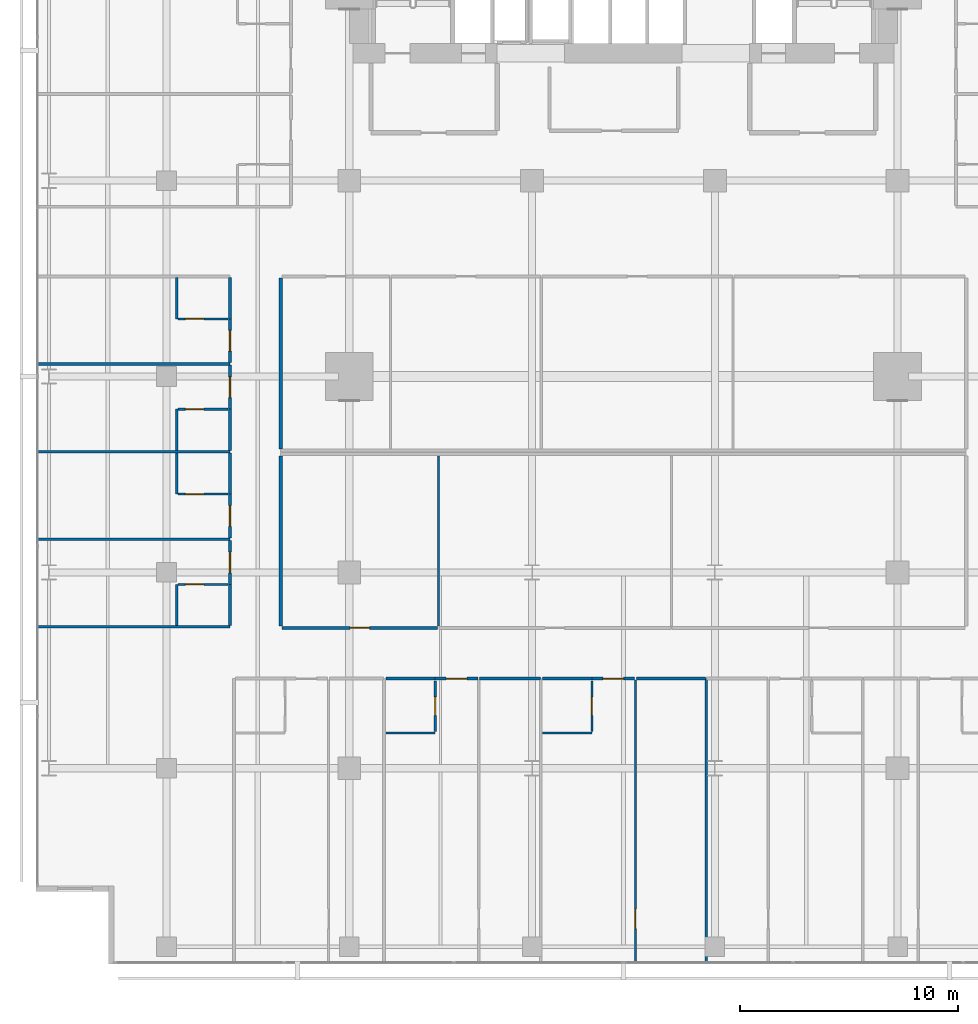
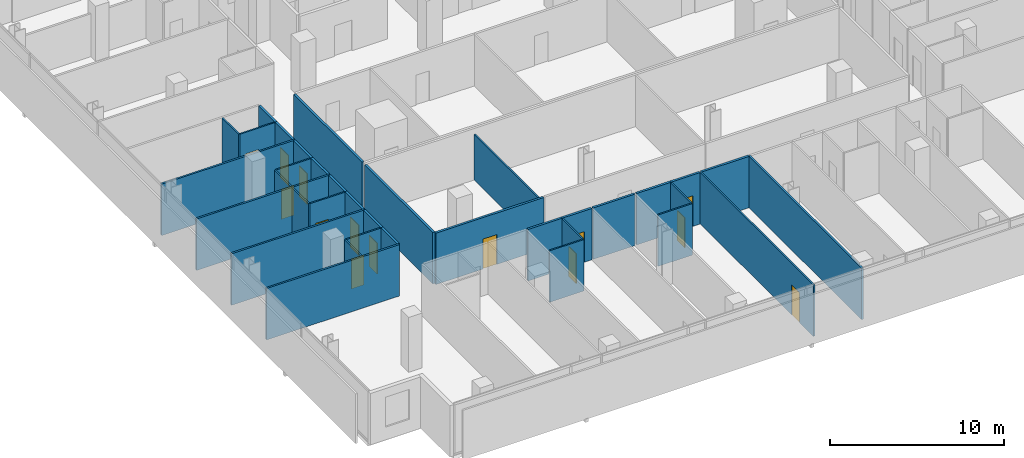
# One storey, part 33 of 40: 36 walls, 14 doors, 14 openings.
"""IFC4 building model written with IfcOpenShell, lengths in metres."""

from ifc_helpers import new_model, si_unit, direction, frame, frame_2d, origin, place, context, subcontext, project, spatial, rectangle, extrude, material, layer, layer_set, type_object, element, fill, save


model = new_model("IFC4")

# Units and contexts
model_context = context("Model", 3, precision=1e-05, world=origin(), true_north=direction((0.0, 1.0)))
body_context = subcontext(model_context, "Body", "Model", "MODEL_VIEW")
ifc_project = project(units=[si_unit("LENGTHUNIT", "METRE"), si_unit("AREAUNIT", "SQUARE_METRE"), si_unit("VOLUMEUNIT", "CUBIC_METRE"), si_unit("PLANEANGLEUNIT", "RADIAN"), si_unit("MASSUNIT", "GRAM", prefix="KILO")], contexts=[model_context])

# Site, building, storey
site_placement = place(None, origin())
site = spatial("IfcSite", under=ifc_project, at=site_placement, CompositionType="ELEMENT")
building_placement = place(site_placement, origin())
building = spatial("IfcBuilding", under=site, at=building_placement, Name="Maruvema Waterfront Hotel and Observation Tower", CompositionType="ELEMENT")
storey_placement = place(building_placement, frame((0.0, 0.0, 77.0)))
storey = spatial("IfcBuildingStorey", under=building, at=storey_placement, Name="L18", CompositionType="ELEMENT", Elevation=77.0)

# Walls
ifc_material_1 = material(Name="Twin-stud acoustic gypsum drywall", Category="gypsum")
ifc_layer_1 = layer(ifc_material_1, 0.14990234375, Name="Acoustic Corridor and Suite Demising Wall 150 mm")
ifc_layer_set_1 = layer_set([ifc_layer_1], Name="Twin-stud acoustic gypsum drywall")
wall_type_1 = type_object("IfcWallType", Name="Acoustic Corridor and Suite Demising Wall 150 mm", PredefinedType="PARTITIONING", material=ifc_layer_set_1)
wall_1_placement = place(storey_placement, frame((22.050048828125, 23.679931640625, 0.0), z_axis=(0.0, 0.0, 1.0), x_axis=(0.0, 1.0, 0.0)))
element("IfcWall", 1, at=wall_1_placement, inside=storey, type_object=wall_type_1, Name="L18 L18-INTN West Wall 017", PredefinedType="PARTITIONING", context=body_context, shape_type="SweptSolid", body=[
    extrude(rectangle(XDim=7.840087890625, YDim=0.14990234375, at=frame_2d((3.919921875, 0.0))), origin(), (0.0, 0.0, 1.0), 3.610107421875),
])
wall_2_placement = place(storey_placement, frame((22.050048828125, 15.530029296875, 0.0), z_axis=(0.0, 0.0, 1.0), x_axis=(0.0, 1.0, 0.0)))
element("IfcWall", 2, at=wall_2_placement, inside=storey, type_object=wall_type_1, Name="L18 L18-INTS West Wall 027", PredefinedType="PARTITIONING", context=body_context, shape_type="SweptSolid", body=[
    extrude(rectangle(XDim=7.830078125, YDim=0.14990234375, at=frame_2d((3.9150390625, 0.0))), origin(), (0.0, 0.0, 1.0), 3.610107421875),
])

# Wall, opening, door
wall_3_placement = place(storey_placement, frame((22.110107421875, 15.449951171875, 0.0), z_axis=(0.0, 0.0, 1.0), x_axis=(1.0, 0.0, 0.0)))
wall_3 = element("IfcWall", 3, at=wall_3_placement, inside=storey, type_object=wall_type_1, Name="L18 L18-INTS Front 1 029", PredefinedType="PARTITIONING", context=body_context, shape_type="SweptSolid", body=[
    extrude(rectangle(XDim=7.15478515625, YDim=0.14990234375, at=frame_2d((3.577392578125, 0.0))), origin(), (0.0, 0.0, 1.0), 3.610107421875),
])
opening_1_placement = place(wall_3_placement, frame((3.12744140625, 0.0, 0.0)))
opening_1 = element("IfcOpeningElement", 4, at=opening_1_placement, cuts=wall_3, Name="Opening DR-090", PredefinedType="OPENING", context=body_context, shape_type="SweptSolid", body=[
    extrude(rectangle(XDim=0.89990234375, YDim=2.10009765625, at=frame_2d((0.449951171875, 1.050048828125))), frame((0.0, 0.0849609375, 0.0), z_axis=(0.0, -1.0, 0.0), x_axis=(1.0, 0.0, 0.0)), (0.0, 0.0, 1.0), 0.169921875),
])
ifc_material_2 = material(Name="Solid-core lacquered timber leaf", Category="wood")
door_type_1 = type_object("IfcDoorType", Name="Accessible Toilet and Room Door 900x2100 mm", OperationType="NOTDEFINED", PredefinedType="DOOR", material=ifc_material_2)
door_1_placement = place(opening_1_placement, frame((0.89990234375, 0.0, 0.0), z_axis=(0.0, 0.0, 1.0), x_axis=(-1.0, 0.0, 0.0)))
door_1 = element("IfcDoor", 5, at=door_1_placement, inside=storey, type_object=door_type_1, Name="L18 Media Lounge Door", OperationType="SINGLE_SWING_RIGHT", OverallHeight=2.10009765625, OverallWidth=0.89990234375, PredefinedType="DOOR", context=body_context, shape_type="SweptSolid", body=[
    extrude(rectangle(XDim=0.89990234375, YDim=2.10009765625, at=frame_2d((0.449951171875, 1.050048828125))), frame((0.0, 0.02490234375, 0.0), z_axis=(0.0, -1.0, 0.0), x_axis=(1.0, 0.0, 0.0)), (0.0, 0.0, 1.0), 0.050048828125),
])
fill(opening_1, door_1)

# Wall
wall_4_placement = place(storey_placement, frame((26.8798828125, 13.1201171875, 0.0), z_axis=(0.0, 0.0, 1.0), x_axis=(1.0, 0.0, 0.0)))
element("IfcWall", 6, at=wall_4_placement, inside=storey, type_object=wall_type_1, Name="L18 Bath L18-S2 Back Wall 043", PredefinedType="PARTITIONING", context=body_context, shape_type="SweptSolid", body=[
    extrude(rectangle(XDim=2.27001953125, YDim=0.14990234375, at=frame_2d((1.135009765625, 0.0))), origin(), (0.0, 0.0, 1.0), 3.610107421875),
])

# Wall, opening, door
wall_5_placement = place(storey_placement, frame((29.14990234375, 13.1201171875, 0.0), z_axis=(0.0, 0.0, 1.0), x_axis=(1.0, 0.0, 0.0)))
wall_5 = element("IfcWall", 7, at=wall_5_placement, inside=storey, type_object=wall_type_1, Name="L18 Unit L18-S2 Corridor Wall 046", PredefinedType="PARTITIONING", context=body_context, shape_type="SweptSolid", body=[
    extrude(rectangle(XDim=1.960205078125, YDim=0.14990234375, at=frame_2d((0.97998046875, 0.0))), origin(), (0.0, 0.0, 1.0), 3.610107421875),
])
opening_2_placement = place(wall_5_placement, frame((0.5048828125, 0.0, 0.0)))
opening_2 = element("IfcOpeningElement", 8, at=opening_2_placement, cuts=wall_5, Name="Opening DR-095", PredefinedType="OPENING", context=body_context, shape_type="SweptSolid", body=[
    extrude(rectangle(XDim=0.949951171875, YDim=2.14990234375, at=frame_2d((0.47509765625, 1.074951171875))), frame((0.0, 0.0849609375, 0.0), z_axis=(0.0, -1.0, 0.0), x_axis=(1.0, 0.0, 0.0)), (0.0, 0.0, 1.0), 0.169921875),
])
ifc_material_3 = material(Name="Acoustic solid-core hardwood timber leaf", Category="wood")
door_type_2 = type_object("IfcDoorType", Name="Guestroom Entrance Fire Door 950x2150 mm", OperationType="NOTDEFINED", PredefinedType="DOOR", material=ifc_material_3)
door_2_placement = place(opening_2_placement, frame((0.949951171875, 0.0, 0.0), z_axis=(0.0, 0.0, 1.0), x_axis=(-1.0, 0.0, 0.0)))
door_2 = element("IfcDoor", 9, at=door_2_placement, inside=storey, type_object=door_type_2, Name="L18 Unit L18-S2 Entrance Door", OperationType="SINGLE_SWING_LEFT", OverallHeight=2.14990234375, OverallWidth=0.949951171875, PredefinedType="DOOR", context=body_context, shape_type="SweptSolid", body=[
    extrude(rectangle(XDim=0.949951171875, YDim=2.14990234375, at=frame_2d((0.47509765625, 1.074951171875))), frame((0.0, 0.02490234375, 0.0), z_axis=(0.0, -1.0, 0.0), x_axis=(1.0, 0.0, 0.0)), (0.0, 0.0, 1.0), 0.050048828125),
])
fill(opening_2, door_2)

# Walls
wall_6_placement = place(storey_placement, frame((31.18994140625, 13.1201171875, 0.0), z_axis=(0.0, 0.0, 1.0), x_axis=(1.0, 0.0, 0.0)))
element("IfcWall", 10, at=wall_6_placement, inside=storey, type_object=wall_type_1, Name="L18 Bedroom L18-S2 Back Wall 047", PredefinedType="PARTITIONING", context=body_context, shape_type="SweptSolid", body=[
    extrude(rectangle(XDim=2.7900390625, YDim=0.14990234375, at=frame_2d((1.39501953125, 0.0))), origin(), (0.0, 0.0, 1.0), 3.610107421875),
])
wall_7_placement = place(storey_placement, frame((34.080078125, 13.1201171875, 0.0), z_axis=(0.0, 0.0, 1.0), x_axis=(1.0, 0.0, 0.0)))
element("IfcWall", 11, at=wall_7_placement, inside=storey, type_object=wall_type_1, Name="L18 Bath L18-S3 Back Wall 050", PredefinedType="PARTITIONING", context=body_context, shape_type="SweptSolid", body=[
    extrude(rectangle(XDim=2.27001953125, YDim=0.14990234375, at=frame_2d((1.135009765625, 0.0))), origin(), (0.0, 0.0, 1.0), 3.610107421875),
])

# Wall, opening, door
wall_8_placement = place(storey_placement, frame((36.35009765625, 13.1201171875, 0.0), z_axis=(0.0, 0.0, 1.0), x_axis=(1.0, 0.0, 0.0)))
wall_8 = element("IfcWall", 12, at=wall_8_placement, inside=storey, type_object=wall_type_1, Name="L18 Unit L18-S3 Corridor Wall 053", PredefinedType="PARTITIONING", context=body_context, shape_type="SweptSolid", body=[
    extrude(rectangle(XDim=1.9599609375, YDim=0.14990234375, at=frame_2d((0.97998046875, 0.0))), origin(), (0.0, 0.0, 1.0), 3.610107421875),
])
opening_3_placement = place(wall_8_placement, frame((0.5048828125, 0.0, 0.0)))
opening_3 = element("IfcOpeningElement", 13, at=opening_3_placement, cuts=wall_8, Name="Opening DR-095", PredefinedType="OPENING", context=body_context, shape_type="SweptSolid", body=[
    extrude(rectangle(XDim=0.949951171875, YDim=2.14990234375, at=frame_2d((0.47509765625, 1.074951171875))), frame((0.0, 0.0849609375, 0.0), z_axis=(0.0, -1.0, 0.0), x_axis=(1.0, 0.0, 0.0)), (0.0, 0.0, 1.0), 0.169921875),
])
door_3_placement = place(opening_3_placement, frame((0.949951171875, 0.0, 0.0), z_axis=(0.0, 0.0, 1.0), x_axis=(-1.0, 0.0, 0.0)))
door_3 = element("IfcDoor", 14, at=door_3_placement, inside=storey, type_object=door_type_2, Name="L18 Unit L18-S3 Entrance Door", OperationType="SINGLE_SWING_RIGHT", OverallHeight=2.14990234375, OverallWidth=0.949951171875, PredefinedType="DOOR", context=body_context, shape_type="SweptSolid", body=[
    extrude(rectangle(XDim=0.949951171875, YDim=2.14990234375, at=frame_2d((0.47509765625, 1.074951171875))), frame((0.0, 0.02490234375, 0.0), z_axis=(0.0, -1.0, 0.0), x_axis=(1.0, 0.0, 0.0)), (0.0, 0.0, 1.0), 0.050048828125),
])
fill(opening_3, door_3)

# Walls
wall_9_placement = place(storey_placement, frame((38.389892578125, 13.1201171875, 0.0), z_axis=(0.0, 0.0, 1.0), x_axis=(1.0, 0.0, 0.0)))
element("IfcWall", 15, at=wall_9_placement, inside=storey, type_object=wall_type_1, Name="L18 Bedroom L18-S3 Back Wall 054", PredefinedType="PARTITIONING", context=body_context, shape_type="SweptSolid", body=[
    extrude(rectangle(XDim=3.190185546875, YDim=0.14990234375, at=frame_2d((1.59521484375, 0.0))), origin(), (0.0, 0.0, 1.0), 3.610107421875),
])
wall_10_placement = place(storey_placement, frame((19.719970703125, 15.56005859375, 0.0), z_axis=(0.0, 0.0, 1.0), x_axis=(0.0, 1.0, 0.0)))
element("IfcWall", 16, at=wall_10_placement, inside=storey, type_object=wall_type_1, Name="L18 Bath L18-W1 Wall 074", PredefinedType="PARTITIONING", context=body_context, shape_type="SweptSolid", body=[
    extrude(rectangle(XDim=1.889892578125, YDim=0.14990234375, at=frame_2d((0.94482421875, 0.0))), origin(), (0.0, 0.0, 1.0), 3.610107421875),
])

# Wall, opening, door
wall_11_placement = place(storey_placement, frame((19.719970703125, 17.449951171875, 0.0), z_axis=(0.0, 0.0, 1.0), x_axis=(0.0, 1.0, 0.0)))
wall_11 = element("IfcWall", 17, at=wall_11_placement, inside=storey, type_object=wall_type_1, Name="L18 Room L18-W1 Corridor Wall 075", PredefinedType="PARTITIONING", context=body_context, shape_type="SweptSolid", body=[
    extrude(rectangle(XDim=2.010009765625, YDim=0.14990234375, at=frame_2d((1.0048828125, 0.0))), origin(), (0.0, 0.0, 1.0), 3.610107421875),
])
opening_4_placement = place(wall_11_placement, frame((0.530029296875, 0.0, 0.0)))
opening_4 = element("IfcOpeningElement", 18, at=opening_4_placement, cuts=wall_11, Name="Opening DR-095", PredefinedType="OPENING", context=body_context, shape_type="SweptSolid", body=[
    extrude(rectangle(XDim=0.949951171875, YDim=2.14990234375, at=frame_2d((0.47509765625, 1.074951171875))), frame((0.0, 0.0849609375, 0.0), z_axis=(0.0, -1.0, 0.0), x_axis=(1.0, 0.0, 0.0)), (0.0, 0.0, 1.0), 0.169921875),
])
door_4_placement = place(opening_4_placement, origin())
door_4 = element("IfcDoor", 19, at=door_4_placement, inside=storey, type_object=door_type_2, Name="L18 Room L18-W1 Entrance Door", OperationType="SINGLE_SWING_LEFT", OverallHeight=2.14990234375, OverallWidth=0.949951171875, PredefinedType="DOOR", context=body_context, shape_type="SweptSolid", body=[
    extrude(rectangle(XDim=0.949951171875, YDim=2.14990234375, at=frame_2d((0.47509765625, 1.074951171875))), frame((0.0, 0.02490234375, 0.0), z_axis=(0.0, -1.0, 0.0), x_axis=(1.0, 0.0, 0.0)), (0.0, 0.0, 1.0), 0.050048828125),
])
fill(opening_4, door_4)

wall_12_placement = place(storey_placement, frame((19.719970703125, 19.580078125, 0.0), z_axis=(0.0, 0.0, 1.0), x_axis=(0.0, 1.0, 0.0)))
wall_12 = element("IfcWall", 20, at=wall_12_placement, inside=storey, type_object=wall_type_1, Name="L18 Room L18-W2 Corridor Wall 084", PredefinedType="PARTITIONING", context=body_context, shape_type="SweptSolid", body=[
    extrude(rectangle(XDim=2.02001953125, YDim=0.14990234375, at=frame_2d((1.010009765625, 0.0))), origin(), (0.0, 0.0, 1.0), 3.610107421875),
])
opening_5_placement = place(wall_12_placement, frame((0.534912109375, 0.0, 0.0)))
opening_5 = element("IfcOpeningElement", 21, at=opening_5_placement, cuts=wall_12, Name="Opening DR-095", PredefinedType="OPENING", context=body_context, shape_type="SweptSolid", body=[
    extrude(rectangle(XDim=0.949951171875, YDim=2.14990234375, at=frame_2d((0.47509765625, 1.074951171875))), frame((0.0, 0.0849609375, 0.0), z_axis=(0.0, -1.0, 0.0), x_axis=(1.0, 0.0, 0.0)), (0.0, 0.0, 1.0), 0.169921875),
])
door_5_placement = place(opening_5_placement, origin())
door_5 = element("IfcDoor", 22, at=door_5_placement, inside=storey, type_object=door_type_2, Name="L18 Room L18-W2 Entrance Door", OperationType="SINGLE_SWING_LEFT", OverallHeight=2.14990234375, OverallWidth=0.949951171875, PredefinedType="DOOR", context=body_context, shape_type="SweptSolid", body=[
    extrude(rectangle(XDim=0.949951171875, YDim=2.14990234375, at=frame_2d((0.47509765625, 1.074951171875))), frame((0.0, 0.02490234375, 0.0), z_axis=(0.0, -1.0, 0.0), x_axis=(1.0, 0.0, 0.0)), (0.0, 0.0, 1.0), 0.050048828125),
])
fill(opening_5, door_5)

# Walls
for number, where, z_axis, x_axis, name in (
    (23, (19.719970703125, 21.60009765625, 0.0), (0.0, 0.0, 1.0), (0.0, 1.0, 0.0), "L18 Bath L18-W2 Wall 085"),
    (24, (19.719970703125, 23.610107421875, 0.0), (0.0, 0.0, 1.0), (0.0, 1.0, 0.0), "L18 Bath L18-W3 Wall 094"),
):
    element("IfcWall", number, at=place(storey_placement, frame(where, z_axis=z_axis, x_axis=x_axis)), inside=storey, type_object=wall_type_1, Name=name, PredefinedType="PARTITIONING", context=body_context, shape_type="SweptSolid", body=[
        extrude(rectangle(XDim=1.889892578125, YDim=0.14990234375, at=frame_2d((0.94482421875, 0.0))), origin(), (0.0, 0.0, 1.0), 3.610107421875),
    ])

# Wall, opening, door
wall_13_placement = place(storey_placement, frame((19.719970703125, 25.5, 0.0), z_axis=(0.0, 0.0, 1.0), x_axis=(0.0, 1.0, 0.0)))
wall_13 = element("IfcWall", 25, at=wall_13_placement, inside=storey, type_object=wall_type_1, Name="L18 Room L18-W3 Corridor Wall 095", PredefinedType="PARTITIONING", context=body_context, shape_type="SweptSolid", body=[
    extrude(rectangle(XDim=2.02001953125, YDim=0.14990234375, at=frame_2d((1.010009765625, 0.0))), origin(), (0.0, 0.0, 1.0), 3.610107421875),
])
opening_6_placement = place(wall_13_placement, frame((0.534912109375, 0.0, 0.0)))
opening_6 = element("IfcOpeningElement", 26, at=opening_6_placement, cuts=wall_13, Name="Opening DR-095", PredefinedType="OPENING", context=body_context, shape_type="SweptSolid", body=[
    extrude(rectangle(XDim=0.949951171875, YDim=2.14990234375, at=frame_2d((0.47509765625, 1.074951171875))), frame((0.0, 0.0849609375, 0.0), z_axis=(0.0, -1.0, 0.0), x_axis=(1.0, 0.0, 0.0)), (0.0, 0.0, 1.0), 0.169921875),
])
door_6_placement = place(opening_6_placement, origin())
door_6 = element("IfcDoor", 27, at=door_6_placement, inside=storey, type_object=door_type_2, Name="L18 Room L18-W3 Entrance Door", OperationType="SINGLE_SWING_LEFT", OverallHeight=2.14990234375, OverallWidth=0.949951171875, PredefinedType="DOOR", context=body_context, shape_type="SweptSolid", body=[
    extrude(rectangle(XDim=0.949951171875, YDim=2.14990234375, at=frame_2d((0.47509765625, 1.074951171875))), frame((0.0, 0.02490234375, 0.0), z_axis=(0.0, -1.0, 0.0), x_axis=(1.0, 0.0, 0.0)), (0.0, 0.0, 1.0), 0.050048828125),
])
fill(opening_6, door_6)

wall_14_placement = place(storey_placement, frame((19.719970703125, 27.639892578125, 0.0), z_axis=(0.0, 0.0, 1.0), x_axis=(0.0, 1.0, 0.0)))
wall_14 = element("IfcWall", 28, at=wall_14_placement, inside=storey, type_object=wall_type_1, Name="L18 Room L18-W4 Corridor Wall 104", PredefinedType="PARTITIONING", context=body_context, shape_type="SweptSolid", body=[
    extrude(rectangle(XDim=2.010009765625, YDim=0.14990234375, at=frame_2d((1.0048828125, 0.0))), origin(), (0.0, 0.0, 1.0), 3.610107421875),
])
opening_7_placement = place(wall_14_placement, frame((0.530029296875, 0.0, 0.0)))
opening_7 = element("IfcOpeningElement", 29, at=opening_7_placement, cuts=wall_14, Name="Opening DR-095", PredefinedType="OPENING", context=body_context, shape_type="SweptSolid", body=[
    extrude(rectangle(XDim=0.949951171875, YDim=2.14990234375, at=frame_2d((0.47509765625, 1.074951171875))), frame((0.0, 0.0849609375, 0.0), z_axis=(0.0, -1.0, 0.0), x_axis=(1.0, 0.0, 0.0)), (0.0, 0.0, 1.0), 0.169921875),
])
door_7_placement = place(opening_7_placement, origin())
door_7 = element("IfcDoor", 30, at=door_7_placement, inside=storey, type_object=door_type_2, Name="L18 Room L18-W4 Entrance Door", OperationType="SINGLE_SWING_LEFT", OverallHeight=2.14990234375, OverallWidth=0.949951171875, PredefinedType="DOOR", context=body_context, shape_type="SweptSolid", body=[
    extrude(rectangle(XDim=0.949951171875, YDim=2.14990234375, at=frame_2d((0.47509765625, 1.074951171875))), frame((0.0, 0.02490234375, 0.0), z_axis=(0.0, -1.0, 0.0), x_axis=(1.0, 0.0, 0.0)), (0.0, 0.0, 1.0), 0.050048828125),
])
fill(opening_7, door_7)

# Walls
wall_15_placement = place(storey_placement, frame((19.719970703125, 29.64990234375, 0.0), z_axis=(0.0, 0.0, 1.0), x_axis=(0.0, 1.0, 0.0)))
element("IfcWall", 31, at=wall_15_placement, inside=storey, type_object=wall_type_1, Name="L18 Bath L18-W4 Wall 105", PredefinedType="PARTITIONING", context=body_context, shape_type="SweptSolid", body=[
    extrude(rectangle(XDim=1.89013671875, YDim=0.14990234375, at=frame_2d((0.945068359375, 0.0))), origin(), (0.0, 0.0, 1.0), 3.610107421875),
])
ifc_material_4 = material(Name="Moisture-resistant cement-board drywall", Category="gypsum")
ifc_layer_2 = layer(ifc_material_4, 0.10009765625, Name="En-Suite Moisture-Resistant Partition 100 mm")
ifc_layer_set_2 = layer_set([ifc_layer_2], Name="Moisture-resistant cement-board drywall")
wall_type_2 = type_object("IfcWallType", Name="En-Suite Moisture-Resistant Partition 100 mm", PredefinedType="PARTITIONING", material=ifc_layer_set_2)
wall_16_placement = place(storey_placement, frame((29.294921875, 15.530029296875, 0.0), z_axis=(0.0, 0.0, 1.0), x_axis=(0.0, 1.0, 0.0)))
element("IfcWall", 32, at=wall_16_placement, inside=storey, type_object=wall_type_2, Name="L18 L18-INTS Split 1 030", PredefinedType="PARTITIONING", context=body_context, shape_type="SweptSolid", body=[
    extrude(rectangle(XDim=7.830078125, YDim=0.10009765625, at=frame_2d((3.9150390625, 0.0))), origin(), (0.0, 0.0, 1.0), 3.20703125),
])
wall_17_placement = place(storey_placement, frame((26.8798828125, 10.6201171875, 0.0), z_axis=(0.0, 0.0, 1.0), x_axis=(1.0, 0.0, 0.0)))
element("IfcWall", 33, at=wall_17_placement, inside=storey, type_object=wall_type_2, Name="L18 En-Suite L18-S2 South 044", PredefinedType="PARTITIONING", context=body_context, shape_type="SweptSolid", body=[
    extrude(rectangle(XDim=2.27001953125, YDim=0.10009765625, at=frame_2d((1.135009765625, 0.0))), origin(), (0.0, 0.0, 1.0), 3.610107421875),
])

# Wall, opening, door
wall_18_placement = place(storey_placement, frame((29.14990234375, 10.679931640625, 0.0), z_axis=(0.0, 0.0, 1.0), x_axis=(0.0, 1.0, 0.0)))
wall_18 = element("IfcWall", 34, at=wall_18_placement, inside=storey, type_object=wall_type_2, Name="L18 En-Suite L18-S2 East 045", PredefinedType="PARTITIONING", context=body_context, shape_type="SweptSolid", body=[
    extrude(rectangle(XDim=2.340087890625, YDim=0.10009765625, at=frame_2d((1.169921875, 0.0))), origin(), (0.0, 0.0, 1.0), 3.610107421875),
])
opening_8_placement = place(wall_18_placement, frame((0.7451171875, 0.0, 0.0)))
opening_8 = element("IfcOpeningElement", 35, at=opening_8_placement, cuts=wall_18, Name="Opening DR-085", PredefinedType="OPENING", context=body_context, shape_type="SweptSolid", body=[
    extrude(rectangle(XDim=0.85009765625, YDim=2.10009765625, at=frame_2d((0.425048828125, 1.050048828125))), frame((0.0, 0.06005859375, 0.0), z_axis=(0.0, -1.0, 0.0), x_axis=(1.0, 0.0, 0.0)), (0.0, 0.0, 1.0), 0.1201171875),
])
ifc_material_5 = material(Name="Moisture-resistant solid timber leaf", Category="wood")
door_type_3 = type_object("IfcDoorType", Name="En-Suite Bathroom Door 850x2100 mm", OperationType="NOTDEFINED", PredefinedType="DOOR", material=ifc_material_5)
door_8_placement = place(opening_8_placement, frame((0.85009765625, 0.0, 0.0), z_axis=(0.0, 0.0, 1.0), x_axis=(-1.0, 0.0, 0.0)))
door_8 = element("IfcDoor", 36, at=door_8_placement, inside=storey, type_object=door_type_3, Name="L18 En-Suite L18-S2 Door", OperationType="SINGLE_SWING_RIGHT", OverallHeight=2.10009765625, OverallWidth=0.85009765625, PredefinedType="DOOR", context=body_context, shape_type="SweptSolid", body=[
    extrude(rectangle(XDim=0.85009765625, YDim=2.10009765625, at=frame_2d((0.425048828125, 1.050048828125))), frame((0.0, 0.02490234375, 0.0), z_axis=(0.0, -1.0, 0.0), x_axis=(1.0, 0.0, 0.0)), (0.0, 0.0, 1.0), 0.050048828125),
])
fill(opening_8, door_8)

# Wall
wall_19_placement = place(storey_placement, frame((34.080078125, 10.6201171875, 0.0), z_axis=(0.0, 0.0, 1.0), x_axis=(1.0, 0.0, 0.0)))
element("IfcWall", 37, at=wall_19_placement, inside=storey, type_object=wall_type_2, Name="L18 En-Suite L18-S3 South 051", PredefinedType="PARTITIONING", context=body_context, shape_type="SweptSolid", body=[
    extrude(rectangle(XDim=2.27001953125, YDim=0.10009765625, at=frame_2d((1.135009765625, 0.0))), origin(), (0.0, 0.0, 1.0), 3.610107421875),
])

# Wall, opening, door
wall_20_placement = place(storey_placement, frame((36.35009765625, 10.679931640625, 0.0), z_axis=(0.0, 0.0, 1.0), x_axis=(0.0, 1.0, 0.0)))
wall_20 = element("IfcWall", 38, at=wall_20_placement, inside=storey, type_object=wall_type_2, Name="L18 En-Suite L18-S3 East 052", PredefinedType="PARTITIONING", context=body_context, shape_type="SweptSolid", body=[
    extrude(rectangle(XDim=2.340087890625, YDim=0.10009765625, at=frame_2d((1.169921875, 0.0))), origin(), (0.0, 0.0, 1.0), 3.610107421875),
])
opening_9_placement = place(wall_20_placement, frame((0.7451171875, 0.0, 0.0)))
opening_9 = element("IfcOpeningElement", 39, at=opening_9_placement, cuts=wall_20, Name="Opening DR-085", PredefinedType="OPENING", context=body_context, shape_type="SweptSolid", body=[
    extrude(rectangle(XDim=0.85009765625, YDim=2.10009765625, at=frame_2d((0.425048828125, 1.050048828125))), frame((0.0, 0.06005859375, 0.0), z_axis=(0.0, -1.0, 0.0), x_axis=(1.0, 0.0, 0.0)), (0.0, 0.0, 1.0), 0.1201171875),
])
door_9_placement = place(opening_9_placement, frame((0.85009765625, 0.0, 0.0), z_axis=(0.0, 0.0, 1.0), x_axis=(-1.0, 0.0, 0.0)))
door_9 = element("IfcDoor", 40, at=door_9_placement, inside=storey, type_object=door_type_3, Name="L18 En-Suite L18-S3 Door", OperationType="SINGLE_SWING_LEFT", OverallHeight=2.10009765625, OverallWidth=0.85009765625, PredefinedType="DOOR", context=body_context, shape_type="SweptSolid", body=[
    extrude(rectangle(XDim=0.85009765625, YDim=2.10009765625, at=frame_2d((0.425048828125, 1.050048828125))), frame((0.0, 0.02490234375, 0.0), z_axis=(0.0, -1.0, 0.0), x_axis=(1.0, 0.0, 0.0)), (0.0, 0.0, 1.0), 0.050048828125),
])
fill(opening_9, door_9)

wall_21_placement = place(storey_placement, frame((38.35009765625, 0.030029296875, 0.0), z_axis=(0.0, 0.0, 1.0), x_axis=(0.0, 1.0, 0.0)))
wall_21 = element("IfcWall", 41, at=wall_21_placement, inside=storey, type_object=wall_type_2, Name="L18 Suite L18-S3 Split 055", PredefinedType="PARTITIONING", context=body_context, shape_type="SweptSolid", body=[
    extrude(rectangle(XDim=13.030029296875, YDim=0.10009765625, at=frame_2d((6.51513671875, 0.0))), origin(), (0.0, 0.0, 1.0), 3.610107421875),
])
opening_10_placement = place(wall_21_placement, frame((1.60009765625, 0.0, 0.0)))
opening_10 = element("IfcOpeningElement", 42, at=opening_10_placement, cuts=wall_21, Name="Opening DR-090", PredefinedType="OPENING", context=body_context, shape_type="SweptSolid", body=[
    extrude(rectangle(XDim=0.89990234375, YDim=2.10009765625, at=frame_2d((0.449951171875, 1.050048828125))), frame((0.0, 0.06005859375, 0.0), z_axis=(0.0, -1.0, 0.0), x_axis=(1.0, 0.0, 0.0)), (0.0, 0.0, 1.0), 0.1201171875),
])
door_10_placement = place(opening_10_placement, origin())
door_10 = element("IfcDoor", 43, at=door_10_placement, inside=storey, type_object=door_type_1, Name="L18 Suite L18-S3 Bedroom Door", OperationType="SINGLE_SWING_LEFT", OverallHeight=2.10009765625, OverallWidth=0.89990234375, PredefinedType="DOOR", context=body_context, shape_type="SweptSolid", body=[
    extrude(rectangle(XDim=0.89990234375, YDim=2.10009765625, at=frame_2d((0.449951171875, 1.050048828125))), frame((0.0, 0.02490234375, 0.0), z_axis=(0.0, -1.0, 0.0), x_axis=(1.0, 0.0, 0.0)), (0.0, 0.0, 1.0), 0.050048828125),
])
fill(opening_10, door_10)

# Wall
wall_22_placement = place(storey_placement, frame((17.27001953125, 15.56005859375, 0.0), z_axis=(0.0, 0.0, 1.0), x_axis=(0.0, 1.0, 0.0)))
element("IfcWall", 44, at=wall_22_placement, inside=storey, type_object=wall_type_2, Name="L18 En-Suite L18-W1 W 076", PredefinedType="PARTITIONING", context=body_context, shape_type="SweptSolid", body=[
    extrude(rectangle(XDim=1.889892578125, YDim=0.10009765625, at=frame_2d((0.94482421875, 0.0))), origin(), (0.0, 0.0, 1.0), 3.610107421875),
])

# Wall, opening, door
wall_23_placement = place(storey_placement, frame((17.320068359375, 17.449951171875, 0.0), z_axis=(0.0, 0.0, 1.0), x_axis=(1.0, 0.0, 0.0)))
wall_23 = element("IfcWall", 45, at=wall_23_placement, inside=storey, type_object=wall_type_2, Name="L18 En-Suite L18-W1 N 077", PredefinedType="PARTITIONING", context=body_context, shape_type="SweptSolid", body=[
    extrude(rectangle(XDim=2.300048828125, YDim=0.10009765625, at=frame_2d((1.14990234375, 0.0))), origin(), (0.0, 0.0, 1.0), 3.610107421875),
])
opening_11_placement = place(wall_23_placement, frame((0.35009765625, 0.0, 0.0)))
opening_11 = element("IfcOpeningElement", 46, at=opening_11_placement, cuts=wall_23, Name="Opening DR-085", PredefinedType="OPENING", context=body_context, shape_type="SweptSolid", body=[
    extrude(rectangle(XDim=0.85009765625, YDim=2.10009765625, at=frame_2d((0.425048828125, 1.050048828125))), frame((0.0, 0.06005859375, 0.0), z_axis=(0.0, -1.0, 0.0), x_axis=(1.0, 0.0, 0.0)), (0.0, 0.0, 1.0), 0.1201171875),
])
door_11_placement = place(opening_11_placement, origin())
door_11 = element("IfcDoor", 47, at=door_11_placement, inside=storey, type_object=door_type_3, Name="L18 En-Suite L18-W1 Door", OperationType="SINGLE_SWING_RIGHT", OverallHeight=2.10009765625, OverallWidth=0.85009765625, PredefinedType="DOOR", context=body_context, shape_type="SweptSolid", body=[
    extrude(rectangle(XDim=0.85009765625, YDim=2.10009765625, at=frame_2d((0.425048828125, 1.050048828125))), frame((0.0, 0.02490234375, 0.0), z_axis=(0.0, -1.0, 0.0), x_axis=(1.0, 0.0, 0.0)), (0.0, 0.0, 1.0), 0.050048828125),
])
fill(opening_11, door_11)

# Wall
wall_24_placement = place(storey_placement, frame((17.27001953125, 21.60009765625, 0.0), z_axis=(0.0, 0.0, 1.0), x_axis=(0.0, 1.0, 0.0)))
element("IfcWall", 48, at=wall_24_placement, inside=storey, type_object=wall_type_2, Name="L18 En-Suite L18-W2 W 086", PredefinedType="PARTITIONING", context=body_context, shape_type="SweptSolid", body=[
    extrude(rectangle(XDim=1.889892578125, YDim=0.10009765625, at=frame_2d((0.94482421875, 0.0))), origin(), (0.0, 0.0, 1.0), 3.610107421875),
])

# Wall, opening, door
wall_25_placement = place(storey_placement, frame((17.320068359375, 21.60009765625, 0.0), z_axis=(0.0, 0.0, 1.0), x_axis=(1.0, 0.0, 0.0)))
wall_25 = element("IfcWall", 49, at=wall_25_placement, inside=storey, type_object=wall_type_2, Name="L18 En-Suite L18-W2 S 087", PredefinedType="PARTITIONING", context=body_context, shape_type="SweptSolid", body=[
    extrude(rectangle(XDim=2.300048828125, YDim=0.10009765625, at=frame_2d((1.14990234375, 0.0))), origin(), (0.0, 0.0, 1.0), 3.610107421875),
])
opening_12_placement = place(wall_25_placement, frame((0.35009765625, 0.0, 0.0)))
opening_12 = element("IfcOpeningElement", 50, at=opening_12_placement, cuts=wall_25, Name="Opening DR-085", PredefinedType="OPENING", context=body_context, shape_type="SweptSolid", body=[
    extrude(rectangle(XDim=0.85009765625, YDim=2.10009765625, at=frame_2d((0.425048828125, 1.050048828125))), frame((0.0, 0.06005859375, 0.0), z_axis=(0.0, -1.0, 0.0), x_axis=(1.0, 0.0, 0.0)), (0.0, 0.0, 1.0), 0.1201171875),
])
door_12_placement = place(opening_12_placement, frame((0.85009765625, 0.0, 0.0), z_axis=(0.0, 0.0, 1.0), x_axis=(-1.0, 0.0, 0.0)))
door_12 = element("IfcDoor", 51, at=door_12_placement, inside=storey, type_object=door_type_3, Name="L18 En-Suite L18-W2 Door", OperationType="SINGLE_SWING_RIGHT", OverallHeight=2.10009765625, OverallWidth=0.85009765625, PredefinedType="DOOR", context=body_context, shape_type="SweptSolid", body=[
    extrude(rectangle(XDim=0.85009765625, YDim=2.10009765625, at=frame_2d((0.425048828125, 1.050048828125))), frame((0.0, 0.02490234375, 0.0), z_axis=(0.0, -1.0, 0.0), x_axis=(1.0, 0.0, 0.0)), (0.0, 0.0, 1.0), 0.050048828125),
])
fill(opening_12, door_12)

# Wall
wall_26_placement = place(storey_placement, frame((17.27001953125, 23.610107421875, 0.0), z_axis=(0.0, 0.0, 1.0), x_axis=(0.0, 1.0, 0.0)))
element("IfcWall", 52, at=wall_26_placement, inside=storey, type_object=wall_type_2, Name="L18 En-Suite L18-W3 W 096", PredefinedType="PARTITIONING", context=body_context, shape_type="SweptSolid", body=[
    extrude(rectangle(XDim=1.889892578125, YDim=0.10009765625, at=frame_2d((0.94482421875, 0.0))), origin(), (0.0, 0.0, 1.0), 3.610107421875),
])

# Wall, opening, door
wall_27_placement = place(storey_placement, frame((17.320068359375, 25.5, 0.0), z_axis=(0.0, 0.0, 1.0), x_axis=(1.0, 0.0, 0.0)))
wall_27 = element("IfcWall", 53, at=wall_27_placement, inside=storey, type_object=wall_type_2, Name="L18 En-Suite L18-W3 N 097", PredefinedType="PARTITIONING", context=body_context, shape_type="SweptSolid", body=[
    extrude(rectangle(XDim=2.300048828125, YDim=0.10009765625, at=frame_2d((1.14990234375, 0.0))), origin(), (0.0, 0.0, 1.0), 3.610107421875),
])
opening_13_placement = place(wall_27_placement, frame((0.35009765625, 0.0, 0.0)))
opening_13 = element("IfcOpeningElement", 54, at=opening_13_placement, cuts=wall_27, Name="Opening DR-085", PredefinedType="OPENING", context=body_context, shape_type="SweptSolid", body=[
    extrude(rectangle(XDim=0.85009765625, YDim=2.10009765625, at=frame_2d((0.425048828125, 1.050048828125))), frame((0.0, 0.06005859375, 0.0), z_axis=(0.0, -1.0, 0.0), x_axis=(1.0, 0.0, 0.0)), (0.0, 0.0, 1.0), 0.1201171875),
])
door_13_placement = place(opening_13_placement, origin())
door_13 = element("IfcDoor", 55, at=door_13_placement, inside=storey, type_object=door_type_3, Name="L18 En-Suite L18-W3 Door", OperationType="SINGLE_SWING_RIGHT", OverallHeight=2.10009765625, OverallWidth=0.85009765625, PredefinedType="DOOR", context=body_context, shape_type="SweptSolid", body=[
    extrude(rectangle(XDim=0.85009765625, YDim=2.10009765625, at=frame_2d((0.425048828125, 1.050048828125))), frame((0.0, 0.02490234375, 0.0), z_axis=(0.0, -1.0, 0.0), x_axis=(1.0, 0.0, 0.0)), (0.0, 0.0, 1.0), 0.050048828125),
])
fill(opening_13, door_13)

# Wall
wall_28_placement = place(storey_placement, frame((17.27001953125, 29.64990234375, 0.0), z_axis=(0.0, 0.0, 1.0), x_axis=(0.0, 1.0, 0.0)))
element("IfcWall", 56, at=wall_28_placement, inside=storey, type_object=wall_type_2, Name="L18 En-Suite L18-W4 W 106", PredefinedType="PARTITIONING", context=body_context, shape_type="SweptSolid", body=[
    extrude(rectangle(XDim=1.89013671875, YDim=0.10009765625, at=frame_2d((0.945068359375, 0.0))), origin(), (0.0, 0.0, 1.0), 3.610107421875),
])

# Wall, opening, door
wall_29_placement = place(storey_placement, frame((17.320068359375, 29.64990234375, 0.0), z_axis=(0.0, 0.0, 1.0), x_axis=(1.0, 0.0, 0.0)))
wall_29 = element("IfcWall", 57, at=wall_29_placement, inside=storey, type_object=wall_type_2, Name="L18 En-Suite L18-W4 S 107", PredefinedType="PARTITIONING", context=body_context, shape_type="SweptSolid", body=[
    extrude(rectangle(XDim=2.300048828125, YDim=0.10009765625, at=frame_2d((1.14990234375, 0.0))), origin(), (0.0, 0.0, 1.0), 3.610107421875),
])
opening_14_placement = place(wall_29_placement, frame((0.35009765625, 0.0, 0.0)))
opening_14 = element("IfcOpeningElement", 58, at=opening_14_placement, cuts=wall_29, Name="Opening DR-085", PredefinedType="OPENING", context=body_context, shape_type="SweptSolid", body=[
    extrude(rectangle(XDim=0.85009765625, YDim=2.10009765625, at=frame_2d((0.425048828125, 1.050048828125))), frame((0.0, 0.06005859375, 0.0), z_axis=(0.0, -1.0, 0.0), x_axis=(1.0, 0.0, 0.0)), (0.0, 0.0, 1.0), 0.1201171875),
])
door_14_placement = place(opening_14_placement, frame((0.85009765625, 0.0, 0.0), z_axis=(0.0, 0.0, 1.0), x_axis=(-1.0, 0.0, 0.0)))
door_14 = element("IfcDoor", 59, at=door_14_placement, inside=storey, type_object=door_type_3, Name="L18 En-Suite L18-W4 Door", OperationType="SINGLE_SWING_RIGHT", OverallHeight=2.10009765625, OverallWidth=0.85009765625, PredefinedType="DOOR", context=body_context, shape_type="SweptSolid", body=[
    extrude(rectangle(XDim=0.85009765625, YDim=2.10009765625, at=frame_2d((0.425048828125, 1.050048828125))), frame((0.0, 0.02490234375, 0.0), z_axis=(0.0, -1.0, 0.0), x_axis=(1.0, 0.0, 0.0)), (0.0, 0.0, 1.0), 0.050048828125),
])
fill(opening_14, door_14)

# Walls
ifc_material_6 = material(Name="Acoustic gypsum plasterboard drywall", Category="gypsum")
ifc_layer_3 = layer(ifc_material_6, 0.125, Name="Guestroom Acoustic Demising Wall 125 mm")
ifc_layer_set_3 = layer_set([ifc_layer_3], Name="Acoustic gypsum plasterboard drywall")
wall_type_3 = type_object("IfcWallType", Name="Guestroom Acoustic Demising Wall 125 mm", PredefinedType="PARTITIONING", material=ifc_layer_set_3)
wall_30_placement = place(storey_placement, frame((41.60009765625, 0.10009765625, 0.0), z_axis=(0.0, 0.0, 1.0), x_axis=(0.0, 1.0, 0.0)))
element("IfcWall", 60, at=wall_30_placement, inside=storey, type_object=wall_type_3, Name="L18 S Demising 4 056", PredefinedType="PARTITIONING", context=body_context, shape_type="SweptSolid", body=[
    extrude(rectangle(XDim=13.02001953125, YDim=0.125, at=frame_2d((6.510009765625, 0.0))), origin(), (0.0, 0.0, 1.0), 3.610107421875),
])
for number, where, z_axis, x_axis, name in (
    (61, (10.89990234375, 15.5, 0.0), (0.0, 0.0, 1.0), (1.0, 0.0, 0.0), "L18 W Bot End 070"),
    (62, (10.89990234375, 19.52001953125, 0.0), (0.0, 0.0, 1.0), (1.0, 0.0, 0.0), "L18 W Demising 2 082"),
    (63, (10.89990234375, 23.550048828125, 0.0), (0.0, 0.0, 1.0), (1.0, 0.0, 0.0), "L18 W Demising 3 092"),
    (64, (10.89990234375, 27.580078125, 0.0), (0.0, 0.0, 1.0), (1.0, 0.0, 0.0), "L18 W Demising 4 102"),
):
    element("IfcWall", number, at=place(storey_placement, frame(where, z_axis=z_axis, x_axis=x_axis)), inside=storey, type_object=wall_type_3, Name=name, PredefinedType="PARTITIONING", context=body_context, shape_type="SweptSolid", body=[
        extrude(rectangle(XDim=8.820068359375, YDim=0.125, at=frame_2d((4.41015625, 0.0))), origin(), (0.0, 0.0, 1.0), 3.610107421875),
    ])

save(model, "model.ifc")
